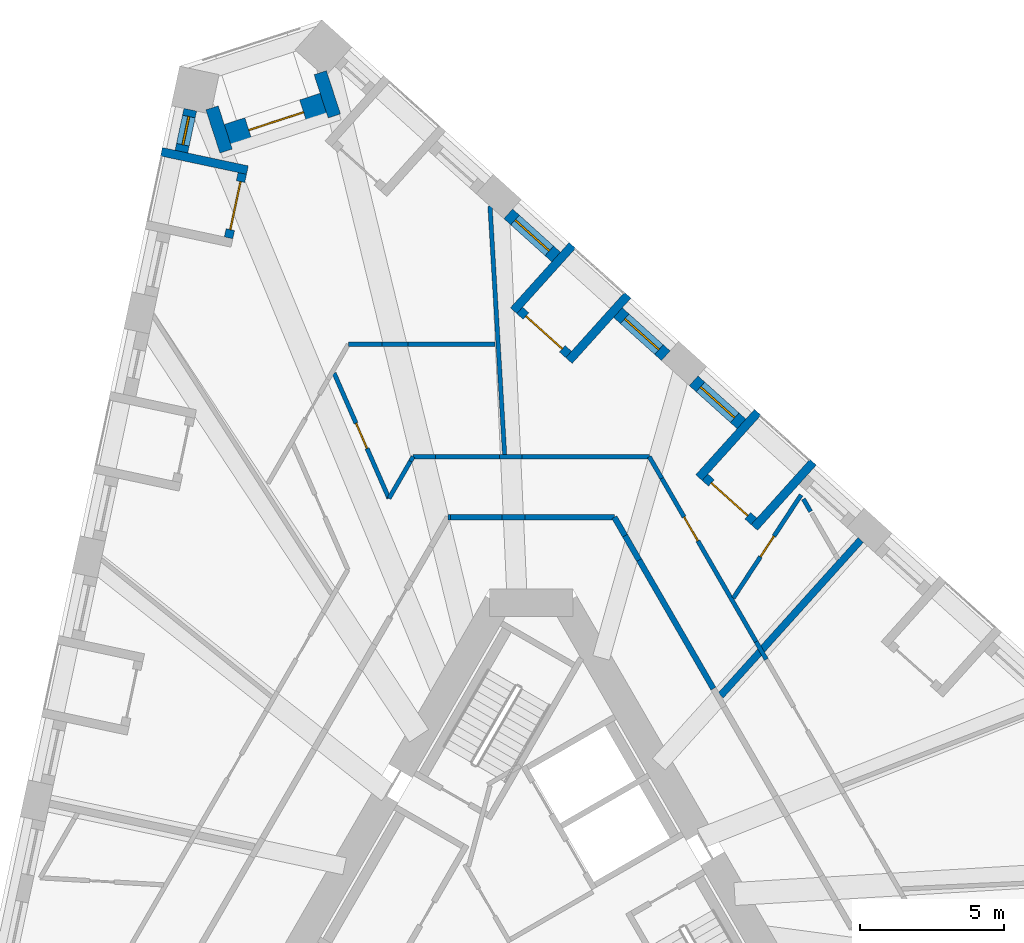
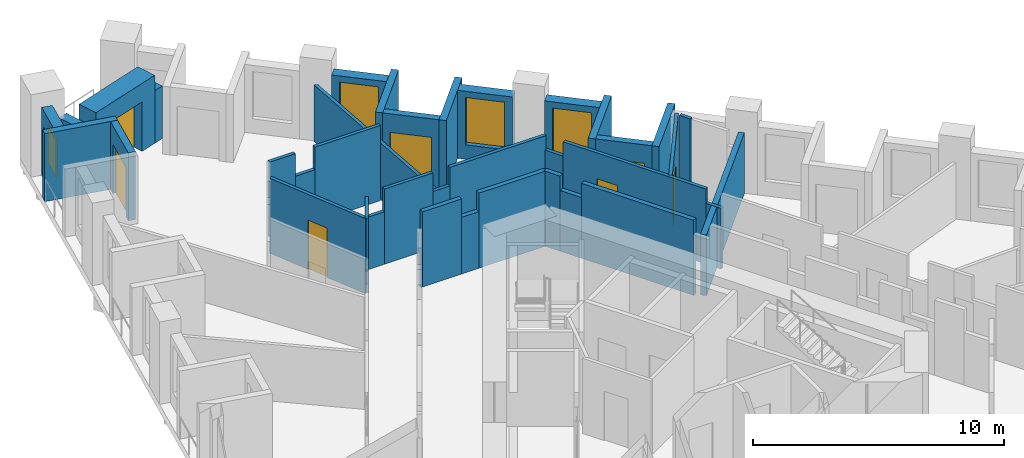
# One storey, part 8 of 12: 39 walls, 7 doors, 4 windows, 11 openings.
"""IFC4 building model written with IfcOpenShell, lengths in metres."""

from ifc_helpers import new_model, si_unit, direction, frame, frame_2d, origin, place, context, subcontext, project, spatial, rectangle, extrude, material, layer, layer_set, type_object, element, fill, save


model = new_model("IFC4")

# Units and contexts
model_context = context("Model", 3, precision=1e-05, world=origin(), true_north=direction((0.0, 1.0)))
body_context = subcontext(model_context, "Body", "Model", "MODEL_VIEW")
ifc_project = project(units=[si_unit("LENGTHUNIT", "METRE"), si_unit("AREAUNIT", "SQUARE_METRE"), si_unit("VOLUMEUNIT", "CUBIC_METRE"), si_unit("PLANEANGLEUNIT", "RADIAN"), si_unit("MASSUNIT", "GRAM", prefix="KILO")], contexts=[model_context])

# Site, building, storey
site_placement = place(None, origin())
site = spatial("IfcSite", under=ifc_project, at=site_placement, CompositionType="ELEMENT")
building_placement = place(site_placement, origin())
building = spatial("IfcBuilding", under=site, at=building_placement, Name="Tramontana Tower", CompositionType="ELEMENT")
storey_placement = place(building_placement, frame((0.0, 0.0, 92.39990234375)))
storey = spatial("IfcBuildingStorey", under=building, at=storey_placement, Name="L20", CompositionType="ELEMENT", Elevation=92.39990234375)

# Walls
ifc_material_1 = material(Name="Blockwork", Category="masonry")
ifc_layer_1 = layer(ifc_material_1, 0.199951171875)
ifc_layer_set_1 = layer_set([ifc_layer_1], Name="ENTRY WALL 200")
wall_type_1 = type_object("IfcWallType", Name="ENTRY WALL 200", PredefinedType="SOLIDWALL", material=ifc_layer_set_1)
wall_1_placement = place(storey_placement, frame((2.88671875, 13.5, 0.0), z_axis=(0.0, 0.0, 1.0), x_axis=(0.499987686533, -0.866032512851, 0.0)))
element("IfcWall", 1, at=wall_1_placement, inside=storey, type_object=wall_type_1, Name="Wall v20-ew0-0", PredefinedType="SOLIDWALL", context=body_context, shape_type="SweptSolid", body=[
    extrude(rectangle(XDim=0.74365234375, YDim=0.199951171875, at=frame_2d((0.371826171875, 0.0))), origin(), (0.0, 0.0, 1.0), 3.650146484375),
])
wall_2_placement = place(storey_placement, frame((3.258544921875, 12.85595703125, 0.0), z_axis=(0.0, 0.0, 1.0), x_axis=(0.500061185694, -0.865990075325, 0.0)))
element("IfcWall", 2, at=wall_2_placement, inside=storey, type_object=wall_type_1, Name="Wall v20-ew0-1", PredefinedType="SOLIDWALL", context=body_context, shape_type="SweptSolid", body=[
    extrude(rectangle(XDim=0.9775390625, YDim=0.199951171875, at=frame_2d((0.48876953125, 0.0))), origin(), (0.0, 0.0, 1.0), 2.9501953125),
])
wall_3_placement = place(storey_placement, frame((3.747314453125, 12.009521484375, 0.0), z_axis=(0.0, 0.0, 1.0), x_axis=(0.500001317485, -0.866024643133, 0.0)))
element("IfcWall", 3, at=wall_3_placement, inside=storey, type_object=wall_type_1, Name="Wall v20-ew0-2", PredefinedType="SOLIDWALL", context=body_context, shape_type="SweptSolid", body=[
    extrude(rectangle(XDim=5.1533203125, YDim=0.199951171875, at=frame_2d((2.57666015625, 0.0))), origin(), (0.0, 0.0, 1.0), 3.650146484375),
])
wall_4_placement = place(storey_placement, frame((-2.88671875, 13.5, 0.0), z_axis=(0.0, 0.0, 1.0), x_axis=(1.0, 0.0, 0.0)))
element("IfcWall", 4, at=wall_4_placement, inside=storey, type_object=wall_type_1, Name="Wall v20-ew5-0", PredefinedType="SOLIDWALL", context=body_context, shape_type="SweptSolid", body=[
    extrude(rectangle(XDim=0.079833984375, YDim=0.199951171875, at=frame_2d((0.0400390625, 0.0))), origin(), (0.0, 0.0, 1.0), 2.550048828125),
])
wall_5_placement = place(storey_placement, frame((-2.806884765625, 13.5, 0.0), z_axis=(0.0, 0.0, 1.0), x_axis=(1.0, 0.0, 0.0)))
element("IfcWall", 5, at=wall_5_placement, inside=storey, type_object=wall_type_1, Name="Wall v20-ew5-1", PredefinedType="SOLIDWALL", context=body_context, shape_type="SweptSolid", body=[
    extrude(rectangle(XDim=1.7880859375, YDim=0.199951171875, at=frame_2d((0.89404296875, 0.0))), origin(), (0.0, 0.0, 1.0), 3.650146484375),
])
wall_6_placement = place(storey_placement, frame((-1.018798828125, 13.5, 0.0), z_axis=(0.0, 0.0, 1.0), x_axis=(1.0, 0.0, 0.0)))
element("IfcWall", 6, at=wall_6_placement, inside=storey, type_object=wall_type_1, Name="Wall v20-ew5-2", PredefinedType="SOLIDWALL", context=body_context, shape_type="SweptSolid", body=[
    extrude(rectangle(XDim=0.80078125, YDim=0.199951171875, at=frame_2d((0.400390625, 0.0))), origin(), (0.0, 0.0, 1.0), 2.75),
])
wall_7_placement = place(storey_placement, frame((-0.218017578125, 13.5, 0.0), z_axis=(0.0, 0.0, 1.0), x_axis=(1.0, 0.0, 0.0)))
element("IfcWall", 7, at=wall_7_placement, inside=storey, type_object=wall_type_1, Name="Wall v20-ew5-3", PredefinedType="SOLIDWALL", context=body_context, shape_type="SweptSolid", body=[
    extrude(rectangle(XDim=3.104736328125, YDim=0.199951171875, at=frame_2d((1.55224609375, 0.0))), origin(), (0.0, 0.0, 1.0), 3.650146484375),
])

# Wall, opening, window
ifc_material_2 = material(Name="Precast concrete 60 MPa", Category="concrete")
ifc_layer_2 = layer(ifc_material_2, 0.449951171875)
ifc_layer_set_2 = layer_set([ifc_layer_2], Name="Precast concrete 60 MPa, 450 mm")
wall_type_2 = type_object("IfcWallType", Name="EW1 Stone-faced precast wall 450", PredefinedType="SOLIDWALL", material=ifc_layer_set_2)
wall_8_placement = place(storey_placement, frame((-11.835693359375, 27.645751953125, 0.0), z_axis=(0.0, 0.0, 1.0), x_axis=(-0.207880358131, -0.978154260178, 0.0)))
wall_8 = element("IfcWall", 8, at=wall_8_placement, inside=storey, type_object=wall_type_2, Name="External wall L20 face 0 bay 1", PredefinedType="SOLIDWALL", context=body_context, shape_type="SweptSolid", body=[
    extrude(rectangle(XDim=1.48681640625, YDim=0.449951171875, at=frame_2d((0.743408203125, 0.0))), origin(), (0.0, 0.0, 1.0), 3.300048828125),
])
opening_1_placement = place(wall_8_placement, frame((0.243408203125, 0.0, 0.699951171875)))
opening_1 = element("IfcOpeningElement", 9, at=opening_1_placement, cuts=wall_8, Name="Opening N1L", PredefinedType="OPENING", context=body_context, shape_type="SweptSolid", body=[
    extrude(rectangle(XDim=1.0, YDim=1.800048828125, at=frame_2d((0.5, 0.89990234375))), frame((0.0, 0.23486328125, 0.0), z_axis=(0.0, -1.0, 0.0), x_axis=(1.0, 0.0, 0.0)), (0.0, 0.0, 1.0), 0.469970703125),
])
ifc_material_3 = material(Name="Aluminum frame, double glazing unit", Category="aluminium")
window_type_1 = type_object("IfcWindowType", Name="N1L Window 1 x 1.8", PartitioningType="SINGLE_PANEL", PredefinedType="WINDOW", material=ifc_material_3)
window_1_placement = place(opening_1_placement, origin())
window_1 = element("IfcWindow", 10, at=window_1_placement, inside=storey, type_object=window_type_1, Name="Window N1L L20 face 0 module 1", OverallHeight=1.800048828125, OverallWidth=1.0, PartitioningType="SINGLE_PANEL", PredefinedType="WINDOW", context=body_context, shape_type="SweptSolid", body=[
    extrude(rectangle(XDim=1.0, YDim=1.800048828125, at=frame_2d((0.5, 0.89990234375))), frame((0.0, 0.030029296875, 0.0), z_axis=(0.0, -1.0, 0.0), x_axis=(1.0, 0.0, 0.0)), (0.0, 0.0, 1.0), 0.06005859375),
])
fill(opening_1, window_1)

wall_9_placement = place(storey_placement, frame((7.30224609375, 16.73828125, 0.0), z_axis=(0.0, 0.0, 1.0), x_axis=(-0.743191019375, 0.669079299276, 0.0)))
wall_9 = element("IfcWall", 11, at=wall_9_placement, inside=storey, type_object=wall_type_2, Name="External wall L20 face 2 bay 4", PredefinedType="SOLIDWALL", context=body_context, shape_type="SweptSolid", body=[
    extrude(rectangle(XDim=2.23681640625, YDim=0.449951171875, at=frame_2d((1.118408203125, 0.0))), origin(), (0.0, 0.0, 1.0), 3.300048828125),
])
opening_2_placement = place(wall_9_placement, frame((0.318359375, 0.0, 0.699951171875)))
opening_2 = element("IfcOpeningElement", 12, at=opening_2_placement, cuts=wall_9, Name="Opening M1", PredefinedType="OPENING", context=body_context, shape_type="SweptSolid", body=[
    extrude(rectangle(XDim=1.60009765625, YDim=2.300048828125, at=frame_2d((0.800048828125, 1.14990234375))), frame((0.0, 0.23486328125, 0.0), z_axis=(0.0, -1.0, 0.0), x_axis=(1.0, 0.0, 0.0)), (0.0, 0.0, 1.0), 0.469970703125),
])
ifc_material_4 = material(Name="Aluminum frame, double glazing unit", Category="aluminium")
window_type_2 = type_object("IfcWindowType", Name="M1 Window 1.6 x 2.3", PartitioningType="SINGLE_PANEL", PredefinedType="WINDOW", material=ifc_material_4)
window_2_placement = place(opening_2_placement, origin())
window_2 = element("IfcWindow", 13, at=window_2_placement, inside=storey, type_object=window_type_2, Name="Window M1 L20 face 2 module 12", OverallHeight=2.300048828125, OverallWidth=1.60009765625, PartitioningType="SINGLE_PANEL", PredefinedType="WINDOW", context=body_context, shape_type="SweptSolid", body=[
    extrude(rectangle(XDim=1.60009765625, YDim=2.300048828125, at=frame_2d((0.800048828125, 1.14990234375))), frame((0.0, 0.030029296875, 0.0), z_axis=(0.0, -1.0, 0.0), x_axis=(1.0, 0.0, 0.0)), (0.0, 0.0, 1.0), 0.06005859375),
])
fill(opening_2, window_2)

wall_10_placement = place(storey_placement, frame((4.673828125, 19.104736328125, 0.0), z_axis=(0.0, 0.0, 1.0), x_axis=(-0.743191019375, 0.669079299276, 0.0)))
wall_10 = element("IfcWall", 14, at=wall_10_placement, inside=storey, type_object=wall_type_2, Name="External wall L20 face 2 bay 5", PredefinedType="SOLIDWALL", context=body_context, shape_type="SweptSolid", body=[
    extrude(rectangle(XDim=2.23681640625, YDim=0.449951171875, at=frame_2d((1.118408203125, 0.0))), origin(), (0.0, 0.0, 1.0), 3.300048828125),
])
opening_3_placement = place(wall_10_placement, frame((0.318359375, 0.0, 0.699951171875)))
opening_3 = element("IfcOpeningElement", 15, at=opening_3_placement, cuts=wall_10, Name="Opening M1", PredefinedType="OPENING", context=body_context, shape_type="SweptSolid", body=[
    extrude(rectangle(XDim=1.60009765625, YDim=2.300048828125, at=frame_2d((0.800048828125, 1.14990234375))), frame((0.0, 0.23486328125, 0.0), z_axis=(0.0, -1.0, 0.0), x_axis=(1.0, 0.0, 0.0)), (0.0, 0.0, 1.0), 0.469970703125),
])
window_3_placement = place(opening_3_placement, origin())
window_3 = element("IfcWindow", 16, at=window_3_placement, inside=storey, type_object=window_type_2, Name="Window M1 L20 face 2 module 13", OverallHeight=2.300048828125, OverallWidth=1.60009765625, PartitioningType="SINGLE_PANEL", PredefinedType="WINDOW", context=body_context, shape_type="SweptSolid", body=[
    extrude(rectangle(XDim=1.60009765625, YDim=2.300048828125, at=frame_2d((0.800048828125, 1.14990234375))), frame((0.0, 0.030029296875, 0.0), z_axis=(0.0, -1.0, 0.0), x_axis=(1.0, 0.0, 0.0)), (0.0, 0.0, 1.0), 0.06005859375),
])
fill(opening_3, window_3)

wall_11_placement = place(storey_placement, frame((0.8662109375, 22.532958984375, 0.0), z_axis=(0.0, 0.0, 1.0), x_axis=(-0.743087873176, 0.669193852885, 0.0)))
wall_11 = element("IfcWall", 17, at=wall_11_placement, inside=storey, type_object=wall_type_2, Name="External wall L20 face 2 bay 5", PredefinedType="SOLIDWALL", context=body_context, shape_type="SweptSolid", body=[
    extrude(rectangle(XDim=2.23681640625, YDim=0.449951171875, at=frame_2d((1.118408203125, 0.0))), origin(), (0.0, 0.0, 1.0), 3.300048828125),
])
opening_4_placement = place(wall_11_placement, frame((0.318359375, 0.0, 0.699951171875)))
opening_4 = element("IfcOpeningElement", 18, at=opening_4_placement, cuts=wall_11, Name="Opening M1", PredefinedType="OPENING", context=body_context, shape_type="SweptSolid", body=[
    extrude(rectangle(XDim=1.60009765625, YDim=2.300048828125, at=frame_2d((0.800048828125, 1.14990234375))), frame((0.0, 0.23486328125, 0.0), z_axis=(0.0, -1.0, 0.0), x_axis=(1.0, 0.0, 0.0)), (0.0, 0.0, 1.0), 0.469970703125),
])
window_4_placement = place(opening_4_placement, origin())
window_4 = element("IfcWindow", 19, at=window_4_placement, inside=storey, type_object=window_type_2, Name="Window M1 L20 face 2 module 15", OverallHeight=2.300048828125, OverallWidth=1.60009765625, PartitioningType="SINGLE_PANEL", PredefinedType="WINDOW", context=body_context, shape_type="SweptSolid", body=[
    extrude(rectangle(XDim=1.60009765625, YDim=2.300048828125, at=frame_2d((0.800048828125, 1.14990234375))), frame((0.0, 0.030029296875, 0.0), z_axis=(0.0, -1.0, 0.0), x_axis=(1.0, 0.0, 0.0)), (0.0, 0.0, 1.0), 0.06005859375),
])
fill(opening_4, window_4)

# Walls
for number, where, z_axis, x_axis, name in (
    (20, (-11.08056640625, 27.71142578125, 0.0), (0.0, 0.0, 1.0), (0.309030142399, -0.951052244143, 0.0), "Corner loggia side wall L20 K20l"),
    (21, (-7.323974609375, 28.93212890625, 0.0), (0.0, 0.0, 1.0), (0.309030142399, -0.951052244143, 0.0), "Corner loggia side wall L20 K20r"),
):
    element("IfcWall", number, at=place(storey_placement, frame(where, z_axis=z_axis, x_axis=x_axis)), inside=storey, type_object=wall_type_2, Name=name, PredefinedType="SOLIDWALL", context=body_context, shape_type="SweptSolid", body=[
        extrude(rectangle(XDim=1.579345703125, YDim=0.449951171875, at=frame_2d((0.78955078125, 0.0))), origin(), (0.0, 0.0, 1.0), 2.550048828125),
    ])

# Wall, opening, door
ifc_material_5 = material(Name="Precast concrete 60 MPa", Category="concrete")
ifc_layer_3 = layer(ifc_material_5, 0.89990234375)
ifc_layer_set_3 = layer_set([ifc_layer_3], Name="EW2 Stone-faced corner loggia wall 900")
wall_type_3 = type_object("IfcWallType", Name="EW2 Stone-faced corner loggia wall 900", PredefinedType="SOLIDWALL", material=ifc_layer_set_3)
wall_12_placement = place(storey_placement, frame((-10.517578125, 26.70703125, 0.0), z_axis=(0.0, 0.0, 1.0), x_axis=(0.951055596592, 0.309019824916, 0.0)))
wall_12 = element("IfcWall", 22, at=wall_12_placement, inside=storey, type_object=wall_type_3, Name="Corner loggia wall L20 K20", PredefinedType="SOLIDWALL", context=body_context, shape_type="SweptSolid", body=[
    extrude(rectangle(XDim=3.5, YDim=0.89990234375, at=frame_2d((1.75, 0.0))), origin(), (0.0, 0.0, 1.0), 3.300048828125),
])
opening_5_placement = place(wall_12_placement, frame((0.75, 0.0, 0.0)))
opening_5 = element("IfcOpeningElement", 23, at=opening_5_placement, cuts=wall_12, Name="Opening BD-20C", PredefinedType="OPENING", context=body_context, shape_type="SweptSolid", body=[
    extrude(rectangle(XDim=2.0, YDim=2.39990234375, at=frame_2d((1.0, 1.199951171875))), frame((0.0, 0.4599609375, 0.0), z_axis=(0.0, -1.0, 0.0), x_axis=(1.0, 0.0, 0.0)), (0.0, 0.0, 1.0), 0.919921875),
])
ifc_material_6 = material(Name="Aluminum frame, double glazing unit", Category="aluminium")
door_type_1 = type_object("IfcDoorType", Name="BC1 Sliding door 2 x 2.4", OperationType="SLIDING_TO_LEFT", PredefinedType="DOOR", material=ifc_material_6)
door_1_placement = place(opening_5_placement, origin())
door_1 = element("IfcDoor", 24, at=door_1_placement, inside=storey, type_object=door_type_1, Name="Corner loggia door L20 K20", OperationType="SLIDING_TO_LEFT", OverallHeight=2.39990234375, OverallWidth=2.0, PredefinedType="DOOR", context=body_context, shape_type="SweptSolid", body=[
    extrude(rectangle(XDim=2.0, YDim=2.39990234375, at=frame_2d((1.0, 1.199951171875))), frame((0.0, 0.02490234375, 0.0), z_axis=(0.0, -1.0, 0.0), x_axis=(1.0, 0.0, 0.0)), (0.0, 0.0, 1.0), 0.050048828125),
])
fill(opening_5, door_1)

ifc_material_7 = material(Name="Precast concrete 60 MPa", Category="concrete")
ifc_layer_4 = layer(ifc_material_7, 0.300048828125)
ifc_layer_set_4 = layer_set([ifc_layer_4], Name="LW1 Stone-faced loggia wall 300")
wall_type_4 = type_object("IfcWallType", Name="LW1 Stone-faced loggia wall 300", PredefinedType="SOLIDWALL", material=ifc_layer_set_4)
wall_13_placement = place(storey_placement, frame((-10.031005859375, 25.435302734375, 0.0), z_axis=(0.0, 0.0, 1.0), x_axis=(-0.207866417042, -0.978157222877, 0.0)))
wall_13 = element("IfcWall", 25, at=wall_13_placement, inside=storey, type_object=wall_type_4, Name="Loggia wall L20 G2S0.1", PredefinedType="SOLIDWALL", context=body_context, shape_type="SweptSolid", body=[
    extrude(rectangle(XDim=2.286865234375, YDim=0.300048828125, at=frame_2d((1.1435546875, 0.0))), origin(), (0.0, 0.0, 1.0), 3.300048828125),
])
opening_6_placement = place(wall_13_placement, frame((0.29345703125, 0.0, 0.0)))
opening_6 = element("IfcOpeningElement", 26, at=opening_6_placement, cuts=wall_13, Name="Opening BD-2S0-01", PredefinedType="OPENING", context=body_context, shape_type="SweptSolid", body=[
    extrude(rectangle(XDim=1.699951171875, YDim=2.39990234375, at=frame_2d((0.85009765625, 1.199951171875))), frame((0.0, 0.159912109375, 0.0), z_axis=(0.0, -1.0, 0.0), x_axis=(1.0, 0.0, 0.0)), (0.0, 0.0, 1.0), 0.320068359375),
])
ifc_material_8 = material(Name="Aluminum frame, double glazing unit", Category="aluminium")
door_type_2 = type_object("IfcDoorType", Name="BD1 Sliding door 1.7 x 2.4", OperationType="SLIDING_TO_LEFT", PredefinedType="DOOR", material=ifc_material_8)
door_2_placement = place(opening_6_placement, origin())
door_2 = element("IfcDoor", 27, at=door_2_placement, inside=storey, type_object=door_type_2, Name="Loggia door L20 G2S0.1", OperationType="SLIDING_TO_LEFT", OverallHeight=2.39990234375, OverallWidth=1.699951171875, PredefinedType="DOOR", context=body_context, shape_type="SweptSolid", body=[
    extrude(rectangle(XDim=1.699951171875, YDim=2.39990234375, at=frame_2d((0.85009765625, 1.199951171875))), frame((0.0, 0.02490234375, 0.0), z_axis=(0.0, -1.0, 0.0), x_axis=(1.0, 0.0, 0.0)), (0.0, 0.0, 1.0), 0.050048828125),
])
fill(opening_6, door_2)

# Wall
wall_14_placement = place(storey_placement, frame((-12.83642578125, 26.18505859375, 0.0), z_axis=(0.0, 0.0, 1.0), x_axis=(0.978154782045, -0.207877902534, 0.0)))
element("IfcWall", 28, at=wall_14_placement, inside=storey, type_object=wall_type_4, Name="Loggia return L20 G2S0.1a", PredefinedType="SOLIDWALL", context=body_context, shape_type="SweptSolid", body=[
    extrude(rectangle(XDim=3.050048828125, YDim=0.300048828125, at=frame_2d((1.52490234375, 0.0))), origin(), (0.0, 0.0, 1.0), 3.300048828125),
])

# Wall, opening, door
wall_15_placement = place(storey_placement, frame((7.735595703125, 13.353759765625, 0.0), z_axis=(0.0, 0.0, 1.0), x_axis=(-0.743081759278, 0.669200641832, 0.0)))
wall_15 = element("IfcWall", 29, at=wall_15_placement, inside=storey, type_object=wall_type_4, Name="Loggia wall L20 G2S2.10", PredefinedType="SOLIDWALL", context=body_context, shape_type="SweptSolid", body=[
    extrude(rectangle(XDim=2.28662109375, YDim=0.300048828125, at=frame_2d((1.143310546875, 0.0))), origin(), (0.0, 0.0, 1.0), 3.300048828125),
])
opening_7_placement = place(wall_15_placement, frame((0.29345703125, 0.0, 0.0)))
opening_7 = element("IfcOpeningElement", 30, at=opening_7_placement, cuts=wall_15, Name="Opening BD-2S2-10", PredefinedType="OPENING", context=body_context, shape_type="SweptSolid", body=[
    extrude(rectangle(XDim=1.699951171875, YDim=2.39990234375, at=frame_2d((0.85009765625, 1.199951171875))), frame((0.0, 0.159912109375, 0.0), z_axis=(0.0, -1.0, 0.0), x_axis=(1.0, 0.0, 0.0)), (0.0, 0.0, 1.0), 0.320068359375),
])
door_3_placement = place(opening_7_placement, origin())
door_3 = element("IfcDoor", 31, at=door_3_placement, inside=storey, type_object=door_type_2, Name="Loggia door L20 G2S2.10", OperationType="SLIDING_TO_LEFT", OverallHeight=2.39990234375, OverallWidth=1.699951171875, PredefinedType="DOOR", context=body_context, shape_type="SweptSolid", body=[
    extrude(rectangle(XDim=1.699951171875, YDim=2.39990234375, at=frame_2d((0.85009765625, 1.199951171875))), frame((0.0, 0.02490234375, 0.0), z_axis=(0.0, -1.0, 0.0), x_axis=(1.0, 0.0, 0.0)), (0.0, 0.0, 1.0), 0.050048828125),
])
fill(opening_7, door_3)

# Walls
for number, where, z_axis, x_axis, name in (
    (32, (9.78759765625, 15.40869140625, 0.0), (0.0, 0.0, 1.0), (-0.669115082961, -0.743158802514, 0.0), "Loggia return L20 G2S2.10a"),
    (33, (7.865234375, 17.139404296875, 0.0), (0.0, 0.0, 1.0), (-0.669115082961, -0.743158802514, 0.0), "Loggia return L20 G2S2.10b"),
):
    element("IfcWall", number, at=place(storey_placement, frame(where, z_axis=z_axis, x_axis=x_axis)), inside=storey, type_object=wall_type_4, Name=name, PredefinedType="SOLIDWALL", context=body_context, shape_type="SweptSolid", body=[
        extrude(rectangle(XDim=3.050048828125, YDim=0.300048828125, at=frame_2d((1.52490234375, 0.0))), origin(), (0.0, 0.0, 1.0), 3.300048828125),
    ])

# Wall, opening, door
wall_16_placement = place(storey_placement, frame((1.2998046875, 19.148681640625, 0.0), z_axis=(0.0, 0.0, 1.0), x_axis=(-0.743182653308, 0.669088591909, 0.0)))
wall_16 = element("IfcWall", 34, at=wall_16_placement, inside=storey, type_object=wall_type_4, Name="Loggia wall L20 G2S2.13", PredefinedType="SOLIDWALL", context=body_context, shape_type="SweptSolid", body=[
    extrude(rectangle(XDim=2.28662109375, YDim=0.300048828125, at=frame_2d((1.143310546875, 0.0))), origin(), (0.0, 0.0, 1.0), 3.300048828125),
])
opening_8_placement = place(wall_16_placement, frame((0.29345703125, 0.0, 0.0)))
opening_8 = element("IfcOpeningElement", 35, at=opening_8_placement, cuts=wall_16, Name="Opening BD-2S2-13", PredefinedType="OPENING", context=body_context, shape_type="SweptSolid", body=[
    extrude(rectangle(XDim=1.699951171875, YDim=2.39990234375, at=frame_2d((0.85009765625, 1.199951171875))), frame((0.0, 0.159912109375, 0.0), z_axis=(0.0, -1.0, 0.0), x_axis=(1.0, 0.0, 0.0)), (0.0, 0.0, 1.0), 0.320068359375),
])
door_4_placement = place(opening_8_placement, origin())
door_4 = element("IfcDoor", 36, at=door_4_placement, inside=storey, type_object=door_type_2, Name="Loggia door L20 G2S2.13", OperationType="SLIDING_TO_LEFT", OverallHeight=2.39990234375, OverallWidth=1.699951171875, PredefinedType="DOOR", context=body_context, shape_type="SweptSolid", body=[
    extrude(rectangle(XDim=1.699951171875, YDim=2.39990234375, at=frame_2d((0.85009765625, 1.199951171875))), frame((0.0, 0.02490234375, 0.0), z_axis=(0.0, -1.0, 0.0), x_axis=(1.0, 0.0, 0.0)), (0.0, 0.0, 1.0), 0.050048828125),
])
fill(opening_8, door_4)

# Walls
for number, where, z_axis, x_axis, name in (
    (37, (3.351806640625, 21.203369140625, 0.0), (0.0, 0.0, 1.0), (-0.669115082961, -0.743158802514, 0.0), "Loggia return L20 G2S2.13a"),
    (38, (1.429443359375, 22.934326171875, 0.0), (0.0, 0.0, 1.0), (-0.669115082961, -0.743158802514, 0.0), "Loggia return L20 G2S2.13b"),
):
    element("IfcWall", number, at=place(storey_placement, frame(where, z_axis=z_axis, x_axis=x_axis)), inside=storey, type_object=wall_type_4, Name=name, PredefinedType="SOLIDWALL", context=body_context, shape_type="SweptSolid", body=[
        extrude(rectangle(XDim=3.050048828125, YDim=0.300048828125, at=frame_2d((1.52490234375, 0.0))), origin(), (0.0, 0.0, 1.0), 3.300048828125),
    ])

# Wall, opening, door
ifc_material_9 = material(Name="Gypsum board partition")
ifc_layer_5 = layer(ifc_material_9, 0.14990234375)
ifc_layer_set_5 = layer_set([ifc_layer_5], Name="PARTITION 150")
wall_type_5 = type_object("IfcWallType", Name="PARTITION 150", PredefinedType="PARTITIONING", material=ifc_layer_set_5)
wall_17_placement = place(storey_placement, frame((-6.84228515625, 18.4990234375, 0.0), z_axis=(0.0, 0.0, 1.0), x_axis=(0.400991537582, -0.916081757698, 0.0)))
wall_17 = element("IfcWall", 39, at=wall_17_placement, inside=storey, type_object=wall_type_5, Name="Wall v20-pw14", PredefinedType="PARTITIONING", context=body_context, shape_type="SweptSolid", body=[
    extrude(rectangle(XDim=4.745849609375, YDim=0.14990234375, at=frame_2d((2.373046875, 0.0))), origin(), (0.0, 0.0, 1.0), 3.650146484375),
])
opening_9_placement = place(wall_17_placement, frame((1.89794921875, 0.0, 0.0)))
opening_9 = element("IfcOpeningElement", 40, at=opening_9_placement, cuts=wall_17, Name="Opening B2A-01", PredefinedType="OPENING", context=body_context, shape_type="SweptSolid", body=[
    extrude(rectangle(XDim=0.949951171875, YDim=2.39990234375, at=frame_2d((0.47509765625, 1.199951171875))), frame((0.0, 0.0849609375, 0.0), z_axis=(0.0, -1.0, 0.0), x_axis=(1.0, 0.0, 0.0)), (0.0, 0.0, 1.0), 0.169921875),
])
ifc_material_10 = material(Name="Painted timber", Category="wood")
door_type_3 = type_object("IfcDoorType", Name="DOOR ROOM 950", OperationType="SINGLE_SWING_LEFT", PredefinedType="DOOR", material=ifc_material_10)
door_5_placement = place(opening_9_placement, origin())
door_5 = element("IfcDoor", 41, at=door_5_placement, inside=storey, type_object=door_type_3, Name="Door B2A-01", OperationType="SINGLE_SWING_LEFT", OverallHeight=2.39990234375, OverallWidth=0.949951171875, PredefinedType="DOOR", context=body_context, shape_type="SweptSolid", body=[
    extrude(rectangle(XDim=0.949951171875, YDim=2.39990234375, at=frame_2d((0.47509765625, 1.199951171875))), frame((0.0, 0.02490234375, 0.0), z_axis=(0.0, -1.0, 0.0), x_axis=(1.0, 0.0, 0.0)), (0.0, 0.0, 1.0), 0.050048828125),
])
fill(opening_9, door_5)

# Walls
wall_18_placement = place(storey_placement, frame((-6.350830078125, 19.5, 0.0), z_axis=(0.0, 0.0, 1.0), x_axis=(1.0, 0.0, 0.0)))
element("IfcWall", 42, at=wall_18_placement, inside=storey, type_object=wall_type_5, Name="Wall v20-pw16-0", PredefinedType="PARTITIONING", context=body_context, shape_type="SweptSolid", body=[
    extrude(rectangle(XDim=1.177490234375, YDim=0.14990234375, at=frame_2d((0.5888671875, 0.0))), origin(), (0.0, 0.0, 1.0), 3.650146484375),
])
wall_19_placement = place(storey_placement, frame((-5.17333984375, 19.5, 0.0), z_axis=(0.0, 0.0, 1.0), x_axis=(1.0, 0.0, 0.0)))
element("IfcWall", 43, at=wall_19_placement, inside=storey, type_object=wall_type_5, Name="Wall v20-pw16-1", PredefinedType="PARTITIONING", context=body_context, shape_type="SweptSolid", body=[
    extrude(rectangle(XDim=0.900390625, YDim=0.14990234375, at=frame_2d((0.4501953125, 0.0))), origin(), (0.0, 0.0, 1.0), 2.550048828125),
])
wall_20_placement = place(storey_placement, frame((-4.27294921875, 19.5, 0.0), z_axis=(0.0, 0.0, 1.0), x_axis=(1.0, 0.0, 0.0)))
element("IfcWall", 44, at=wall_20_placement, inside=storey, type_object=wall_type_5, Name="Wall v20-pw16-2", PredefinedType="PARTITIONING", context=body_context, shape_type="SweptSolid", body=[
    extrude(rectangle(XDim=3.015380859375, YDim=0.14990234375, at=frame_2d((1.5078125, 0.0))), origin(), (0.0, 0.0, 1.0), 3.650146484375),
])
wall_21_placement = place(storey_placement, frame((-4.935546875, 14.1513671875, 0.0), z_axis=(0.0, 0.0, 1.0), x_axis=(0.500015540671, 0.866016431188, 0.0)))
element("IfcWall", 45, at=wall_21_placement, inside=storey, type_object=wall_type_5, Name="Wall v20-pw18-0", PredefinedType="PARTITIONING", context=body_context, shape_type="SweptSolid", body=[
    extrude(rectangle(XDim=1.490234375, YDim=0.14990234375, at=frame_2d((0.7451171875, 0.0))), origin(), (0.0, 0.0, 1.0), 3.650146484375),
])
wall_22_placement = place(storey_placement, frame((-4.1904296875, 15.44189453125, 0.0), z_axis=(0.0, 0.0, 1.0), x_axis=(0.50045593687, 0.865762008436, 0.0)))
element("IfcWall", 46, at=wall_22_placement, inside=storey, type_object=wall_type_5, Name="Wall v20-pw18-1", PredefinedType="PARTITIONING", context=body_context, shape_type="SweptSolid", body=[
    extrude(rectangle(XDim=0.182373046875, YDim=0.14990234375, at=frame_2d((0.09130859375, 0.0))), origin(), (0.0, 0.0, 1.0), 2.550048828125),
])
wall_23_placement = place(storey_placement, frame((-4.09912109375, 15.60009765625, 0.0), z_axis=(0.0, 0.0, 1.0), x_axis=(1.0, 0.0, 0.0)))
element("IfcWall", 47, at=wall_23_placement, inside=storey, type_object=wall_type_5, Name="Wall v20-pw19-0", PredefinedType="PARTITIONING", context=body_context, shape_type="SweptSolid", body=[
    extrude(rectangle(XDim=0.770751953125, YDim=0.14990234375, at=frame_2d((0.38525390625, 0.0))), origin(), (0.0, 0.0, 1.0), 2.550048828125),
])
wall_24_placement = place(storey_placement, frame((-3.328369140625, 15.60009765625, 0.0), z_axis=(0.0, 0.0, 1.0), x_axis=(1.0, 0.0, 0.0)))
element("IfcWall", 48, at=wall_24_placement, inside=storey, type_object=wall_type_5, Name="Wall v20-pw19-1", PredefinedType="PARTITIONING", context=body_context, shape_type="SweptSolid", body=[
    extrude(rectangle(XDim=2.225830078125, YDim=0.14990234375, at=frame_2d((1.11279296875, 0.0))), origin(), (0.0, 0.0, 1.0), 3.650146484375),
])
wall_25_placement = place(storey_placement, frame((-1.1025390625, 15.60009765625, 0.0), z_axis=(0.0, 0.0, 1.0), x_axis=(1.0, 0.0, 0.0)))
element("IfcWall", 49, at=wall_25_placement, inside=storey, type_object=wall_type_5, Name="Wall v20-pw19-2", PredefinedType="PARTITIONING", context=body_context, shape_type="SweptSolid", body=[
    extrude(rectangle(XDim=0.77587890625, YDim=0.14990234375, at=frame_2d((0.387939453125, 0.0))), origin(), (0.0, 0.0, 1.0), 2.75),
])
wall_26_placement = place(storey_placement, frame((-0.32666015625, 15.60009765625, 0.0), z_axis=(0.0, 0.0, 1.0), x_axis=(1.0, 0.0, 0.0)))
element("IfcWall", 50, at=wall_26_placement, inside=storey, type_object=wall_type_5, Name="Wall v20-pw19-3", PredefinedType="PARTITIONING", context=body_context, shape_type="SweptSolid", body=[
    extrude(rectangle(XDim=4.42578125, YDim=0.14990234375, at=frame_2d((2.212890625, 0.0))), origin(), (0.0, 0.0, 1.0), 3.650146484375),
])
wall_27_placement = place(storey_placement, frame((-1.429443359375, 24.29736328125, 0.0), z_axis=(0.0, 0.0, 1.0), x_axis=(0.058736934744, -0.99827349584, 0.0)))
element("IfcWall", 51, at=wall_27_placement, inside=storey, type_object=wall_type_5, Name="Wall v20-pw21-0", PredefinedType="PARTITIONING", context=body_context, shape_type="SweptSolid", body=[
    extrude(rectangle(XDim=8.63720703125, YDim=0.14990234375, at=frame_2d((4.318603515625, 0.0))), origin(), (0.0, 0.0, 1.0), 2.75),
])
wall_28_placement = place(storey_placement, frame((4.09912109375, 15.599853515625, 0.0), z_axis=(0.0, 0.0, 1.0), x_axis=(0.500216765549, -0.86590021796, 0.0)))
element("IfcWall", 52, at=wall_28_placement, inside=storey, type_object=wall_type_5, Name="Wall v20-pw23-0", PredefinedType="PARTITIONING", context=body_context, shape_type="SweptSolid", body=[
    extrude(rectangle(XDim=0.869140625, YDim=0.14990234375, at=frame_2d((0.4345703125, 0.0))), origin(), (0.0, 0.0, 1.0), 2.9501953125),
])

# Wall, opening, door
wall_29_placement = place(storey_placement, frame((7.80810546875, 9.176025390625, 0.0), z_axis=(0.0, 0.0, 1.0), x_axis=(-0.499992467015, 0.866029752912, 0.0)))
wall_29 = element("IfcWall", 53, at=wall_29_placement, inside=storey, type_object=wall_type_5, Name="Wall v20-pw23-1", PredefinedType="PARTITIONING", context=body_context, shape_type="SweptSolid", body=[
    extrude(rectangle(XDim=6.54833984375, YDim=0.14990234375, at=frame_2d((3.274169921875, 0.0))), origin(), (0.0, 0.0, 1.0), 3.650146484375),
])
opening_10_placement = place(wall_29_placement, frame((4.046875, 0.0, 0.0)))
opening_10 = element("IfcOpeningElement", 54, at=opening_10_placement, cuts=wall_29, Name="Opening B2A-04", PredefinedType="OPENING", context=body_context, shape_type="SweptSolid", body=[
    extrude(rectangle(XDim=0.949951171875, YDim=2.39990234375, at=frame_2d((0.47509765625, 1.199951171875))), frame((0.0, 0.0849609375, 0.0), z_axis=(0.0, -1.0, 0.0), x_axis=(1.0, 0.0, 0.0)), (0.0, 0.0, 1.0), 0.169921875),
])
door_6_placement = place(opening_10_placement, origin())
door_6 = element("IfcDoor", 55, at=door_6_placement, inside=storey, type_object=door_type_3, Name="Door B2A-04", OperationType="SINGLE_SWING_RIGHT", OverallHeight=2.39990234375, OverallWidth=0.949951171875, PredefinedType="DOOR", context=body_context, shape_type="SweptSolid", body=[
    extrude(rectangle(XDim=0.949951171875, YDim=2.39990234375, at=frame_2d((0.47509765625, 1.199951171875))), frame((0.0, 0.02490234375, 0.0), z_axis=(0.0, -1.0, 0.0), x_axis=(1.0, 0.0, 0.0)), (0.0, 0.0, 1.0), 0.050048828125),
])
fill(opening_10, door_6)

# Wall
wall_30_placement = place(storey_placement, frame((7.80810546875, 9.176025390625, 0.0), z_axis=(0.0, 0.0, 1.0), x_axis=(0.499950805595, -0.866053804324, 0.0)))
element("IfcWall", 56, at=wall_30_placement, inside=storey, type_object=wall_type_5, Name="Wall v20-pw23-2", PredefinedType="PARTITIONING", context=body_context, shape_type="SweptSolid", body=[
    extrude(rectangle(XDim=0.70947265625, YDim=0.14990234375, at=frame_2d((0.354736328125, 0.0))), origin(), (0.0, 0.0, 1.0), 2.9501953125),
])

# Wall, opening, door
wall_31_placement = place(storey_placement, frame((9.36962890625, 14.271484375, 0.0), z_axis=(0.0, 0.0, 1.0), x_axis=(-0.548818328071, -0.83594165034, 0.0)))
wall_31 = element("IfcWall", 57, at=wall_31_placement, inside=storey, type_object=wall_type_5, Name="Wall v20-pw26", PredefinedType="PARTITIONING", context=body_context, shape_type="SweptSolid", body=[
    extrude(rectangle(XDim=4.2822265625, YDim=0.14990234375, at=frame_2d((2.14111328125, 0.0))), origin(), (0.0, 0.0, 1.0), 3.650146484375),
])
opening_11_placement = place(wall_31_placement, frame((1.716064453125, 0.0, 0.0)))
opening_11 = element("IfcOpeningElement", 58, at=opening_11_placement, cuts=wall_31, Name="Opening B2A-07", PredefinedType="OPENING", context=body_context, shape_type="SweptSolid", body=[
    extrude(rectangle(XDim=0.85009765625, YDim=2.39990234375, at=frame_2d((0.425048828125, 1.199951171875))), frame((0.0, 0.0849609375, 0.0), z_axis=(0.0, -1.0, 0.0), x_axis=(1.0, 0.0, 0.0)), (0.0, 0.0, 1.0), 0.169921875),
])
ifc_material_11 = material(Name="Painted timber", Category="wood")
door_type_4 = type_object("IfcDoorType", Name="DOOR BATH 850", OperationType="SINGLE_SWING_LEFT", PredefinedType="DOOR", material=ifc_material_11)
door_7_placement = place(opening_11_placement, origin())
door_7 = element("IfcDoor", 59, at=door_7_placement, inside=storey, type_object=door_type_4, Name="Door B2A-07", OperationType="SINGLE_SWING_LEFT", OverallHeight=2.39990234375, OverallWidth=0.85009765625, PredefinedType="DOOR", context=body_context, shape_type="SweptSolid", body=[
    extrude(rectangle(XDim=0.85009765625, YDim=2.39990234375, at=frame_2d((0.425048828125, 1.199951171875))), frame((0.0, 0.02490234375, 0.0), z_axis=(0.0, -1.0, 0.0), x_axis=(1.0, 0.0, 0.0)), (0.0, 0.0, 1.0), 0.050048828125),
])
fill(opening_11, door_7)

# Walls
wall_32_placement = place(storey_placement, frame((9.45068359375, 14.130859375, 0.0), z_axis=(0.0, 0.0, 1.0), x_axis=(0.499904868165, -0.866080321209, 0.0)))
element("IfcWall", 60, at=wall_32_placement, inside=storey, type_object=wall_type_5, Name="Wall v20-pw28", PredefinedType="PARTITIONING", context=body_context, shape_type="SweptSolid", body=[
    extrude(rectangle(XDim=0.501953125, YDim=0.14990234375, at=frame_2d((0.2509765625, 0.0))), origin(), (0.0, 0.0, 1.0), 3.650146484375),
])
ifc_material_12 = material(Name="Blockwork", Category="masonry")
ifc_layer_6 = layer(ifc_material_12, 0.25)
ifc_layer_set_6 = layer_set([ifc_layer_6], Name="PARTY WALL 250")
wall_type_6 = type_object("IfcWallType", Name="PARTY WALL 250", PredefinedType="SOLIDWALL", material=ifc_layer_set_6)
wall_33_placement = place(storey_placement, frame((11.442138671875, 12.707763671875, 0.0), z_axis=(0.0, 0.0, 1.0), x_axis=(-0.66912430182, -0.743150502061, 0.0)))
element("IfcWall", 61, at=wall_33_placement, inside=storey, type_object=wall_type_6, Name="Wall v20-pw31-0", PredefinedType="SOLIDWALL", context=body_context, shape_type="SweptSolid", body=[
    extrude(rectangle(XDim=7.268798828125, YDim=0.25, at=frame_2d((3.63427734375, 0.0))), origin(), (0.0, 0.0, 1.0), 2.9501953125),
])

save(model, "model.ifc")
